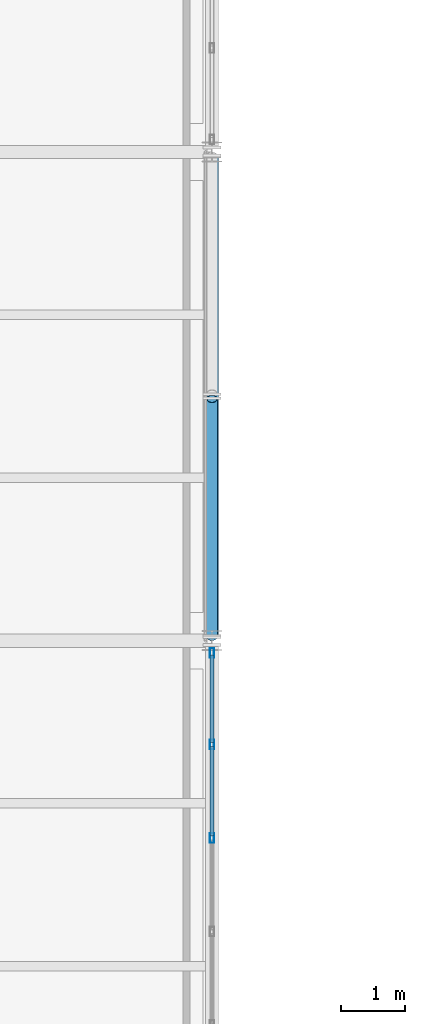
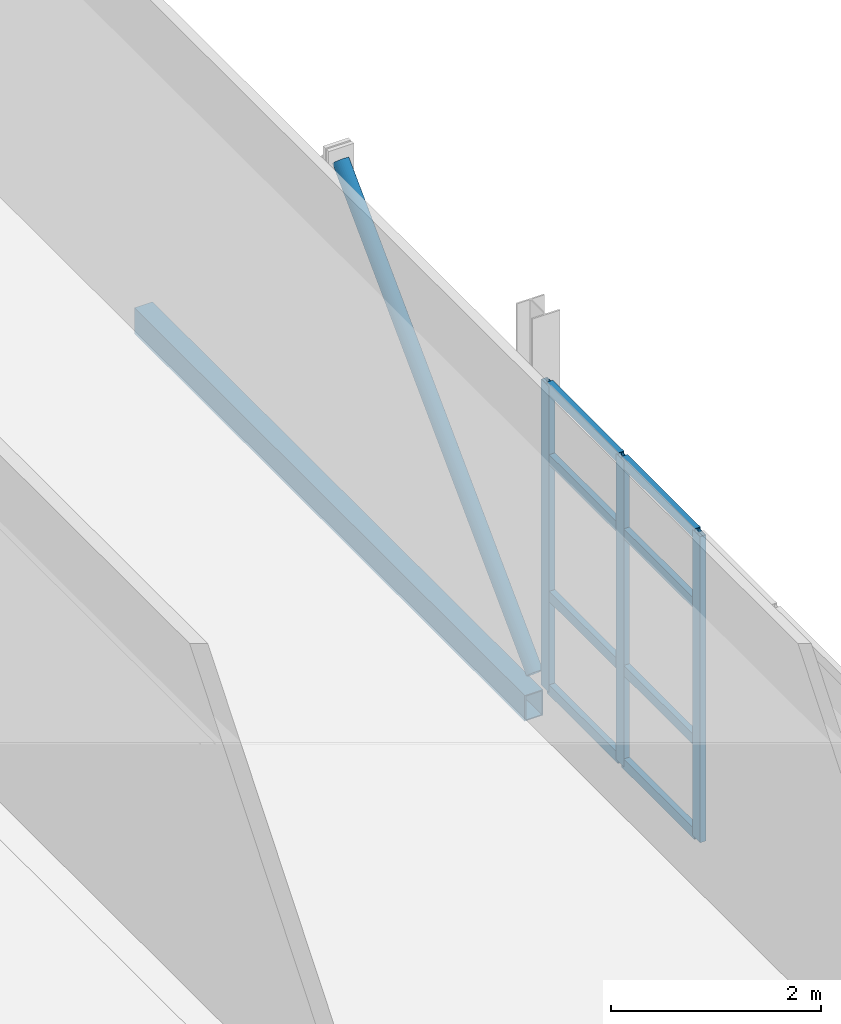
# One storey, part 115 of 166: 12 members, 1 beam, 1 element without a shape of its own.
"""IFC4 building model written with IfcOpenShell, lengths in metres."""

from ifc_helpers import new_model, si_unit, direction, frame, origin, origin_2d, place, context, subcontext, project, spatial, hollow_rectangle, hollow_circle, extrude, material, material_profile, profile_set, type_object, element, aggregate, save


model = new_model("IFC4")

# Units and contexts
model_context = context("Model", 3, precision=1e-05, world=origin(), true_north=direction((0.0, 1.0)))
body_context = subcontext(model_context, "Body", "Model", "MODEL_VIEW")
ifc_project = project(units=[si_unit("LENGTHUNIT", "METRE"), si_unit("AREAUNIT", "SQUARE_METRE"), si_unit("VOLUMEUNIT", "CUBIC_METRE"), si_unit("PLANEANGLEUNIT", "RADIAN"), si_unit("MASSUNIT", "GRAM", prefix="KILO")], contexts=[model_context])

# Site, building, storey
site_placement = place(None, origin())
site = spatial("IfcSite", under=ifc_project, at=site_placement, CompositionType="ELEMENT")
building_placement = place(site_placement, origin())
building = spatial("IfcBuilding", under=site, at=building_placement, Name="Caisbarro Railhouse Central Library", CompositionType="ELEMENT")
storey_placement = place(building_placement, frame((0.0, 0.0, 9.360107421875)))
storey = spatial("IfcBuildingStorey", under=building, at=storey_placement, Name="L02", CompositionType="ELEMENT", Elevation=9.360107421875)

# Beam
ifc_material_1 = material(Name="Steel ASTM A572 Grade 50", Category="steel")
ifc_material_profile_1 = material_profile(ifc_material_1, hollow_rectangle(XDim=0.199951171875, YDim=0.300048828125, WallThickness=0.012451171875, at=origin_2d()), Name="HSS300X200X12.5")
ifc_profile_set_1 = profile_set([ifc_material_profile_1], Name="Steel ASTM A572 Grade 50")
beam_type = type_object("IfcBeamType", Name="BM-SP02", PredefinedType="SPANDREL", material=ifc_profile_set_1)
beam_placement = place(storey_placement, frame((153.0, 76.080078125, -0.3701171875), z_axis=(0.0, 1.0, 0.0), x_axis=(-1.0, 0.0, 0.0)))
element("IfcBeam", 1, at=beam_placement, inside=storey, type_object=beam_type, Name="SP02 beam L02 #1534", PredefinedType="SPANDREL", context=body_context, shape_type="SweptSolid", body=[
    extrude(hollow_rectangle(XDim=0.199951171875, YDim=0.300048828125, WallThickness=0.012451171875, at=origin_2d()), origin(), (0.0, 0.0, 1.0), 7.43994140625),
])

# Curtain wall, members
ifc_material_2 = material(Name="Anodised architectural aluminium", Category="aluminium")
curtain_wall_type = type_object("IfcCurtainWallType", Name="CW-CW03", PredefinedType="NOTDEFINED", material=ifc_material_2)
curtain_wall_placement = place(storey_placement, origin())
curtain_wall = element("IfcCurtainWall", 2, at=curtain_wall_placement, inside=storey, type_object=curtain_wall_type, Name="CW03 curtain wall L02 #138", PredefinedType="NOTDEFINED")
ifc_material_profile_2 = material_profile(ifc_material_2, hollow_rectangle(XDim=0.06494140625, YDim=0.14990234375, WallThickness=0.00390625, at=origin_2d()), Name="ALU-MUL-65X150")
ifc_profile_set_2 = profile_set([ifc_material_profile_2], Name="Anodised architectural aluminium")
member_type_1 = type_object("IfcMemberType", Name="CWM-M02", PredefinedType="MULLION", material=ifc_profile_set_2)
member_1_placement = place(storey_placement, frame((153.0, 72.927978515625, 0.0), z_axis=(0.0, 0.0, 1.0), x_axis=(-1.0, 0.0, 0.0)))
member_1 = element("IfcMember", 3, at=member_1_placement, type_object=member_type_1, Name="CW03 mullion 4", PredefinedType="MULLION", context=body_context, shape_type="SweptSolid", body=[
    extrude(hollow_rectangle(XDim=0.06494140625, YDim=0.14990234375, WallThickness=0.00390625, at=origin_2d()), origin(), (0.0, 0.0, 1.0), 3.559814453125),
])
member_2_placement = place(storey_placement, frame((153.0, 74.384033203125, 0.0), z_axis=(0.0, 0.0, 1.0), x_axis=(-1.0, 0.0, 0.0)))
member_2 = element("IfcMember", 4, at=member_2_placement, type_object=member_type_1, Name="CW03 mullion 5", PredefinedType="MULLION", context=body_context, shape_type="SweptSolid", body=[
    extrude(hollow_rectangle(XDim=0.06494140625, YDim=0.14990234375, WallThickness=0.00390625, at=origin_2d()), origin(), (0.0, 0.0, 1.0), 3.559814453125),
])
member_3_placement = place(storey_placement, frame((153.0, 75.8076171875, 0.0), z_axis=(0.0, 0.0, 1.0), x_axis=(-1.0, 0.0, 0.0)))
member_3 = element("IfcMember", 5, at=member_3_placement, type_object=member_type_1, Name="CW03 mullion 6", PredefinedType="MULLION", context=body_context, shape_type="SweptSolid", body=[
    extrude(hollow_rectangle(XDim=0.06494140625, YDim=0.14990234375, WallThickness=0.00390625, at=origin_2d()), origin(), (0.0, 0.0, 1.0), 3.559814453125),
])
ifc_material_profile_3 = material_profile(ifc_material_2, hollow_rectangle(XDim=0.06494140625, YDim=0.1201171875, WallThickness=0.00341796875, at=origin_2d()), Name="ALU-TRN-65X120")
ifc_profile_set_3 = profile_set([ifc_material_profile_3], Name="Anodised architectural aluminium")
member_type_2 = type_object("IfcMemberType", Name="CWT-T02", PredefinedType="USERDEFINED", material=ifc_profile_set_3)
member_4_placement = place(storey_placement, frame((153.0, 72.96044921875, 0.032470703125), z_axis=(0.0, 1.0, 0.0), x_axis=(-1.0, 0.0, 0.0)))
member_4 = element("IfcMember", 6, at=member_4_placement, type_object=member_type_2, Name="CW03 transom 4.1", ObjectType="TRANSOM", PredefinedType="USERDEFINED", context=body_context, shape_type="SweptSolid", body=[
    extrude(hollow_rectangle(XDim=0.06494140625, YDim=0.1201171875, WallThickness=0.00341796875, at=origin_2d()), origin(), (0.0, 0.0, 1.0), 1.39111328125),
])
member_5_placement = place(storey_placement, frame((153.0, 72.96044921875, 1.119873046875), z_axis=(0.0, 1.0, 0.0), x_axis=(-1.0, 0.0, 0.0)))
member_5 = element("IfcMember", 7, at=member_5_placement, type_object=member_type_2, Name="CW03 transom 4.2", ObjectType="TRANSOM", PredefinedType="USERDEFINED", context=body_context, shape_type="SweptSolid", body=[
    extrude(hollow_rectangle(XDim=0.06494140625, YDim=0.1201171875, WallThickness=0.00341796875, at=origin_2d()), origin(), (0.0, 0.0, 1.0), 1.39111328125),
])
member_6_placement = place(storey_placement, frame((153.0, 72.96044921875, 2.7099609375), z_axis=(0.0, 1.0, 0.0), x_axis=(-1.0, 0.0, 0.0)))
member_6 = element("IfcMember", 8, at=member_6_placement, type_object=member_type_2, Name="CW03 transom 4.3", ObjectType="TRANSOM", PredefinedType="USERDEFINED", context=body_context, shape_type="SweptSolid", body=[
    extrude(hollow_rectangle(XDim=0.06494140625, YDim=0.1201171875, WallThickness=0.00341796875, at=origin_2d()), origin(), (0.0, 0.0, 1.0), 1.39111328125),
])
member_7_placement = place(storey_placement, frame((153.0, 72.96044921875, 3.52734375), z_axis=(0.0, 1.0, 0.0), x_axis=(-1.0, 0.0, 0.0)))
member_7 = element("IfcMember", 9, at=member_7_placement, type_object=member_type_2, Name="CW03 transom 4.4", ObjectType="TRANSOM", PredefinedType="USERDEFINED", context=body_context, shape_type="SweptSolid", body=[
    extrude(hollow_rectangle(XDim=0.06494140625, YDim=0.1201171875, WallThickness=0.00341796875, at=origin_2d()), origin(), (0.0, 0.0, 1.0), 1.39111328125),
])
member_8_placement = place(storey_placement, frame((153.0, 74.41650390625, 0.032470703125), z_axis=(0.0, 1.0, 0.0), x_axis=(-1.0, 0.0, 0.0)))
member_8 = element("IfcMember", 10, at=member_8_placement, type_object=member_type_2, Name="CW03 transom 5.1", ObjectType="TRANSOM", PredefinedType="USERDEFINED", context=body_context, shape_type="SweptSolid", body=[
    extrude(hollow_rectangle(XDim=0.06494140625, YDim=0.1201171875, WallThickness=0.00341796875, at=origin_2d()), origin(), (0.0, 0.0, 1.0), 1.3583984375),
])
member_9_placement = place(storey_placement, frame((153.0, 74.41650390625, 1.119873046875), z_axis=(0.0, 1.0, 0.0), x_axis=(-1.0, 0.0, 0.0)))
member_9 = element("IfcMember", 11, at=member_9_placement, type_object=member_type_2, Name="CW03 transom 5.2", ObjectType="TRANSOM", PredefinedType="USERDEFINED", context=body_context, shape_type="SweptSolid", body=[
    extrude(hollow_rectangle(XDim=0.06494140625, YDim=0.1201171875, WallThickness=0.00341796875, at=origin_2d()), origin(), (0.0, 0.0, 1.0), 1.3583984375),
])
member_10_placement = place(storey_placement, frame((153.0, 74.41650390625, 2.7099609375), z_axis=(0.0, 1.0, 0.0), x_axis=(-1.0, 0.0, 0.0)))
member_10 = element("IfcMember", 12, at=member_10_placement, type_object=member_type_2, Name="CW03 transom 5.3", ObjectType="TRANSOM", PredefinedType="USERDEFINED", context=body_context, shape_type="SweptSolid", body=[
    extrude(hollow_rectangle(XDim=0.06494140625, YDim=0.1201171875, WallThickness=0.00341796875, at=origin_2d()), origin(), (0.0, 0.0, 1.0), 1.3583984375),
])
member_11_placement = place(storey_placement, frame((153.0, 74.41650390625, 3.52734375), z_axis=(0.0, 1.0, 0.0), x_axis=(-1.0, 0.0, 0.0)))
member_11 = element("IfcMember", 13, at=member_11_placement, type_object=member_type_2, Name="CW03 transom 5.4", ObjectType="TRANSOM", PredefinedType="USERDEFINED", context=body_context, shape_type="SweptSolid", body=[
    extrude(hollow_rectangle(XDim=0.06494140625, YDim=0.1201171875, WallThickness=0.00341796875, at=origin_2d()), origin(), (0.0, 0.0, 1.0), 1.3583984375),
])
aggregate(curtain_wall, [member_1, member_2, member_3, member_4, member_5, member_6, member_7, member_8, member_9, member_10, member_11])

# Member
ifc_material_profile_4 = material_profile(ifc_material_1, hollow_circle(Radius=0.084228515625, WallThickness=0.008056640625, at=origin_2d()), Name="CHS168.3X8")
ifc_profile_set_4 = profile_set([ifc_material_profile_4], Name="Steel ASTM A572 Grade 50")
member_type_3 = type_object("IfcMemberType", Name="MEM-BR04", PredefinedType="BRACE", material=ifc_profile_set_4)
member_12_placement = place(storey_placement, frame((153.0, 76.06005859375, 0.019775390625), z_axis=(0.0, 0.705173119443, 0.709035169519), x_axis=(-1.0, 0.0, 0.0)))
element("IfcMember", 14, at=member_12_placement, inside=storey, type_object=member_type_3, Name="BR04 chevron brace X153 L02.1", PredefinedType="BRACE", context=body_context, shape_type="SweptSolid", body=[
    extrude(hollow_circle(Radius=0.084228515625, WallThickness=0.008056640625, at=origin_2d()), origin(), (0.0, 0.0, 1.0), 5.246826171875),
])

save(model, "model.ifc")
